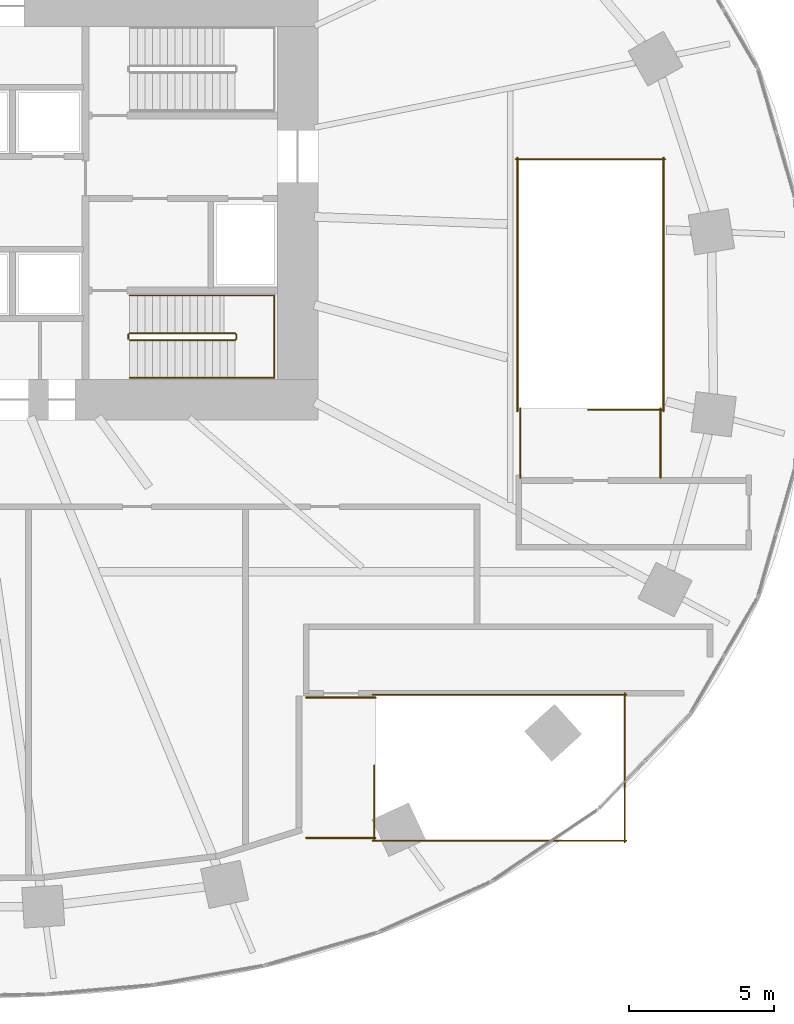
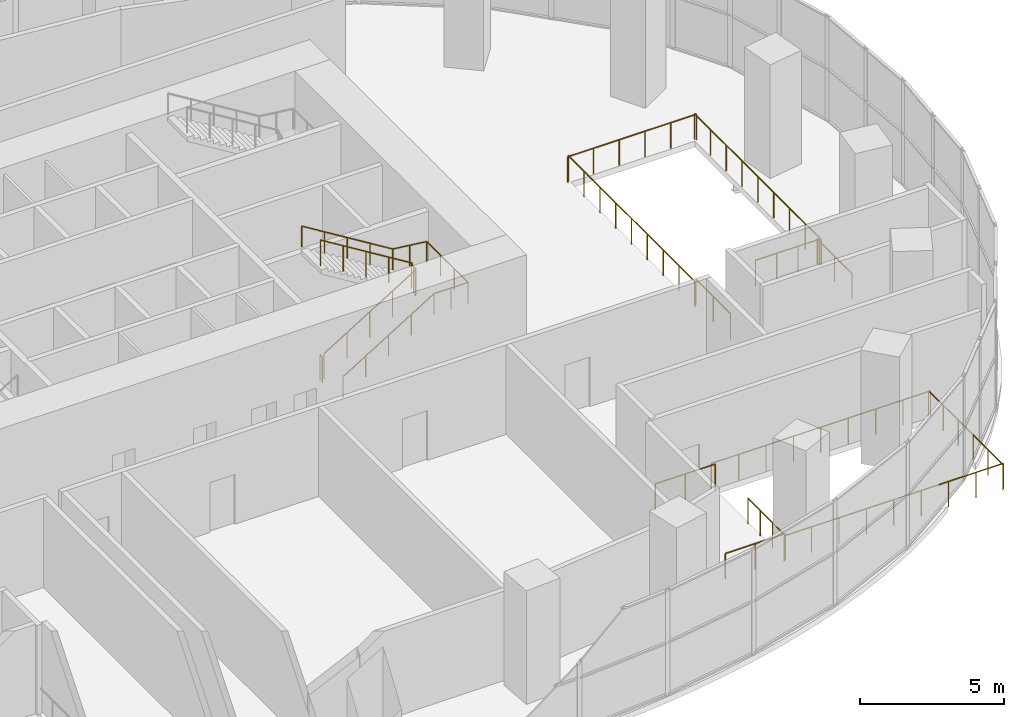
# One storey, part 16 of 17: 15 railings.
"""IFC4 building model written with IfcOpenShell, lengths in metres."""

from ifc_helpers import new_model, si_unit, direction, frame, origin, origin_2d, place, context, subcontext, project, spatial, circle, extrude, material, type_object, element, save


model = new_model("IFC4")

# Units and contexts
model_context = context("Model", 3, precision=1e-05, world=origin(), true_north=direction((0.0, 1.0)))
body_context = subcontext(model_context, "Body", "Model", "MODEL_VIEW")
ifc_project = project(units=[si_unit("LENGTHUNIT", "METRE"), si_unit("AREAUNIT", "SQUARE_METRE"), si_unit("VOLUMEUNIT", "CUBIC_METRE"), si_unit("PLANEANGLEUNIT", "RADIAN"), si_unit("MASSUNIT", "GRAM", prefix="KILO")], contexts=[model_context])

# Site, building, storey
site_placement = place(None, origin())
site = spatial("IfcSite", under=ifc_project, at=site_placement, CompositionType="ELEMENT")
building_placement = place(site_placement, origin())
building = spatial("IfcBuilding", under=site, at=building_placement, Name="Rubra Terraces Tower", CompositionType="ELEMENT")
storey_placement = place(building_placement, frame((0.0, 0.0, 28.199951171875)))
storey = spatial("IfcBuildingStorey", under=building, at=storey_placement, Name="L04", CompositionType="ELEMENT", Elevation=28.199951171875)

# Railings
ifc_material = material(Name="Stainless steel", Category="steel")
railing_type_1 = type_object("IfcRailingType", Name="Core stair guard 1100", PredefinedType="GUARDRAIL", material=ifc_material)
railing_1_placement = place(storey_placement, frame((6.5, -0.25, 0.16015625)))
element("IfcRailing", 1, at=railing_1_placement, inside=storey, type_object=railing_type_1, Name="L04 stair S4 guard 1", PredefinedType="GUARDRAIL", context=body_context, shape_type="SweptSolid", body=[
    extrude(circle(Radius=0.02392578125, at=origin_2d()), frame((0.0, 0.0, 1.076171875), z_axis=(0.851652432698, 0.0, 0.524106987055), x_axis=(0.0, 1.0, 0.0)), (0.0, 0.0, 1.0), 4.27392578125),
    extrude(circle(Radius=0.02392578125, at=origin_2d()), frame((3.639892578125, 0.0, 3.31591796875), z_axis=(0.707106781187, 0.707106781187, 0.0), x_axis=(-0.707106781187, 0.707106781187, 0.0)), (0.0, 0.0, 1.0), 0.07080078125),
    extrude(circle(Radius=0.02392578125, at=origin_2d()), frame((3.68994140625, 0.050048828125, 3.31591796875), z_axis=(0.0, 1.0, 0.0), x_axis=(-1.0, 0.0, 0.0)), (0.0, 0.0, 1.0), 0.14990234375),
    extrude(circle(Radius=0.02392578125, at=origin_2d()), frame((3.68994140625, 0.199951171875, 3.31591796875), z_axis=(-0.286195917343, 0.286195917343, 0.914430857852), x_axis=(-0.707106781187, -0.707106781187, 0.0)), (0.0, 0.0, 1.0), 0.1748046875),
    extrude(circle(Radius=0.02392578125, at=origin_2d()), frame((3.639892578125, 0.25, 3.47607421875), z_axis=(-0.851652432698, 0.0, 0.524106987055), x_axis=(0.0, -1.0, 0.0)), (0.0, 0.0, 1.0), 4.27392578125),
    extrude(circle(Radius=0.02099609375, at=origin_2d()), origin(), (0.0, 0.0, 1.0), 1.052001953125),
    extrude(circle(Radius=0.02099609375, at=origin_2d()), frame((0.909912109375, 0.0, 0.56005859375)), (0.0, 0.0, 1.0), 1.052001953125),
    extrude(circle(Radius=0.02099609375, at=origin_2d()), frame((1.81982421875, 0.0, 1.1201171875)), (0.0, 0.0, 1.0), 1.052001953125),
    extrude(circle(Radius=0.02099609375, at=origin_2d()), frame((2.72998046875, 0.0, 1.679931640625)), (0.0, 0.0, 1.0), 1.052001953125),
    extrude(circle(Radius=0.02099609375, at=origin_2d()), frame((3.639892578125, 0.0, 2.239990234375)), (0.0, 0.0, 1.0), 1.052001953125),
    extrude(circle(Radius=0.02099609375, at=origin_2d()), frame((3.68994140625, 0.050048828125, 2.239990234375)), (0.0, 0.0, 1.0), 1.052001953125),
    extrude(circle(Radius=0.02099609375, at=origin_2d()), frame((3.68994140625, 0.199951171875, 2.239990234375)), (0.0, 0.0, 1.0), 1.052001953125),
    extrude(circle(Radius=0.02099609375, at=origin_2d()), frame((3.639892578125, 0.25, 2.39990234375)), (0.0, 0.0, 1.0), 1.052001953125),
    extrude(circle(Radius=0.02099609375, at=origin_2d()), frame((2.72998046875, 0.25, 2.9599609375)), (0.0, 0.0, 1.0), 1.052001953125),
    extrude(circle(Radius=0.02099609375, at=origin_2d()), frame((1.81982421875, 0.25, 3.52001953125)), (0.0, 0.0, 1.0), 1.052001953125),
    extrude(circle(Radius=0.02099609375, at=origin_2d()), frame((0.909912109375, 0.25, 4.079833984375)), (0.0, 0.0, 1.0), 1.052001953125),
    extrude(circle(Radius=0.02099609375, at=origin_2d()), frame((0.0, 0.25, 4.639892578125)), (0.0, 0.0, 1.0), 1.052001953125),
])
railing_2_placement = place(storey_placement, frame((6.449951171875, -0.199951171875, 0.0)))
element("IfcRailing", 2, at=railing_2_placement, inside=storey, type_object=railing_type_1, Name="L04 stair S4 guard 2", PredefinedType="GUARDRAIL", context=body_context, shape_type="SweptSolid", body=[
    extrude(circle(Radius=0.02392578125, at=origin_2d()), frame((0.0, 0.0, 1.076171875), z_axis=(0.0, 1.0, 0.0), x_axis=(-1.0, 0.0, 0.0)), (0.0, 0.0, 1.0), 0.14990234375),
    extrude(circle(Radius=0.02099609375, at=origin_2d()), origin(), (0.0, 0.0, 1.0), 1.052001953125),
    extrude(circle(Radius=0.02099609375, at=origin_2d()), frame((0.0, 0.14990234375, 0.0)), (0.0, 0.0, 1.0), 1.052001953125),
])
railing_type_2 = type_object("IfcRailingType", Name="Core stair handrail 900", PredefinedType="HANDRAIL", material=ifc_material)
railing_3_placement = place(storey_placement, frame((6.5, -1.550048828125, 0.16015625)))
element("IfcRailing", 3, at=railing_3_placement, inside=storey, type_object=railing_type_2, Name="L04 stair S4 handrail 1", PredefinedType="HANDRAIL", context=body_context, shape_type="SweptSolid", body=[
    extrude(circle(Radius=0.02392578125, at=origin_2d()), frame((0.0, 0.0, 0.8759765625), z_axis=(0.851652432698, 0.0, 0.524106987055), x_axis=(0.0, 1.0, 0.0)), (0.0, 0.0, 1.0), 4.27392578125),
    extrude(circle(Radius=0.02392578125, at=origin_2d()), frame((3.639892578125, 0.0, 3.11572265625), z_axis=(1.0, 0.0, 0.0), x_axis=(0.0, 1.0, 0.0)), (0.0, 0.0, 1.0), 1.360107421875),
    extrude(circle(Radius=0.02392578125, at=origin_2d()), frame((5.0, 0.0, 3.11572265625), z_axis=(0.0, 1.0, 0.0), x_axis=(-1.0, 0.0, 0.0)), (0.0, 0.0, 1.0), 2.85009765625),
    extrude(circle(Radius=0.02392578125, at=origin_2d()), frame((5.0, 2.85009765625, 3.11572265625), z_axis=(-0.993159119849, 0.0, 0.116768842847), x_axis=(0.0, -1.0, 0.0)), (0.0, 0.0, 1.0), 1.369384765625),
    extrude(circle(Radius=0.02392578125, at=origin_2d()), frame((3.639892578125, 2.85009765625, 3.27587890625), z_axis=(-0.851652432698, 0.0, 0.524106987055), x_axis=(0.0, -1.0, 0.0)), (0.0, 0.0, 1.0), 4.27392578125),
    extrude(circle(Radius=0.02099609375, at=origin_2d()), origin(), (0.0, 0.0, 1.0), 0.851806640625),
    extrude(circle(Radius=0.02099609375, at=origin_2d()), frame((0.909912109375, 0.0, 0.56005859375)), (0.0, 0.0, 1.0), 0.851806640625),
    extrude(circle(Radius=0.02099609375, at=origin_2d()), frame((1.81982421875, 0.0, 1.1201171875)), (0.0, 0.0, 1.0), 0.851806640625),
    extrude(circle(Radius=0.02099609375, at=origin_2d()), frame((2.72998046875, 0.0, 1.679931640625)), (0.0, 0.0, 1.0), 0.851806640625),
    extrude(circle(Radius=0.02099609375, at=origin_2d()), frame((3.639892578125, 0.0, 2.239990234375)), (0.0, 0.0, 1.0), 0.851806640625),
    extrude(circle(Radius=0.02099609375, at=origin_2d()), frame((4.31982421875, 0.0, 2.239990234375)), (0.0, 0.0, 1.0), 0.851806640625),
    extrude(circle(Radius=0.02099609375, at=origin_2d()), frame((5.0, 0.0, 2.239990234375)), (0.0, 0.0, 1.0), 0.851806640625),
    extrude(circle(Radius=0.02099609375, at=origin_2d()), frame((5.0, 0.949951171875, 2.239990234375)), (0.0, 0.0, 1.0), 0.851806640625),
    extrude(circle(Radius=0.02099609375, at=origin_2d()), frame((5.0, 1.900146484375, 2.239990234375)), (0.0, 0.0, 1.0), 0.851806640625),
    extrude(circle(Radius=0.02099609375, at=origin_2d()), frame((5.0, 2.85009765625, 2.239990234375)), (0.0, 0.0, 1.0), 0.851806640625),
    extrude(circle(Radius=0.02099609375, at=origin_2d()), frame((4.31982421875, 2.85009765625, 2.31982421875)), (0.0, 0.0, 1.0), 0.851806640625),
    extrude(circle(Radius=0.02099609375, at=origin_2d()), frame((3.639892578125, 2.85009765625, 2.39990234375)), (0.0, 0.0, 1.0), 0.851806640625),
    extrude(circle(Radius=0.02099609375, at=origin_2d()), frame((2.72998046875, 2.85009765625, 2.9599609375)), (0.0, 0.0, 1.0), 0.851806640625),
    extrude(circle(Radius=0.02099609375, at=origin_2d()), frame((1.81982421875, 2.85009765625, 3.52001953125)), (0.0, 0.0, 1.0), 0.851806640625),
    extrude(circle(Radius=0.02099609375, at=origin_2d()), frame((0.909912109375, 2.85009765625, 4.079833984375)), (0.0, 0.0, 1.0), 0.851806640625),
    extrude(circle(Radius=0.02099609375, at=origin_2d()), frame((0.0, 2.85009765625, 4.639892578125)), (0.0, 0.0, 1.0), 0.851806640625),
])
railing_type_3 = type_object("IfcRailingType", Name="Public stair guard 1100", PredefinedType="GUARDRAIL", material=ifc_material)
railing_4_placement = place(storey_placement, frame((24.89990234375, -2.64990234375, 0.0)))
element("IfcRailing", 4, at=railing_4_placement, inside=storey, type_object=railing_type_3, Name="L04 PS2 top well guard 1", PredefinedType="GUARDRAIL", context=body_context, shape_type="SweptSolid", body=[
    extrude(circle(Radius=0.02392578125, at=origin_2d()), frame((0.0, 0.0, 1.076171875), z_axis=(-1.0, 0.0, 0.0), x_axis=(0.0, -1.0, 0.0)), (0.0, 0.0, 1.0), 2.5498046875),
    extrude(circle(Radius=0.02099609375, at=origin_2d()), origin(), (0.0, 0.0, 1.0), 1.052001953125),
    extrude(circle(Radius=0.02099609375, at=origin_2d()), frame((-0.849853515625, 0.0, 0.0)), (0.0, 0.0, 1.0), 1.052001953125),
    extrude(circle(Radius=0.02099609375, at=origin_2d()), frame((-1.699951171875, 0.0, 0.0)), (0.0, 0.0, 1.0), 1.052001953125),
    extrude(circle(Radius=0.02099609375, at=origin_2d()), frame((-2.5498046875, 0.0, 0.0)), (0.0, 0.0, 1.0), 1.052001953125),
])
for number, where, name in (
    (5, (24.949951171875, -2.699951171875, 0.0), "L04 PS2 top well guard 2"),
    (6, (19.89990234375, -2.699951171875, 0.0), "L04 PS2 top well guard 3"),
):
    element("IfcRailing", number, at=place(storey_placement, frame(where)), inside=storey, type_object=railing_type_3, Name=name, PredefinedType="GUARDRAIL", context=body_context, shape_type="SweptSolid", body=[
        extrude(circle(Radius=0.02392578125, at=origin_2d()), frame((0.0, 0.0, 1.076171875), z_axis=(0.0, 1.0, 0.0), x_axis=(-1.0, 0.0, 0.0)), (0.0, 0.0, 1.0), 8.760009765625),
        extrude(circle(Radius=0.02099609375, at=origin_2d()), origin(), (0.0, 0.0, 1.0), 1.052001953125),
        extrude(circle(Radius=0.02099609375, at=origin_2d()), frame((0.0, 1.094970703125, 0.0)), (0.0, 0.0, 1.0), 1.052001953125),
        extrude(circle(Radius=0.02099609375, at=origin_2d()), frame((0.0, 2.18994140625, 0.0)), (0.0, 0.0, 1.0), 1.052001953125),
        extrude(circle(Radius=0.02099609375, at=origin_2d()), frame((0.0, 3.284912109375, 0.0)), (0.0, 0.0, 1.0), 1.052001953125),
        extrude(circle(Radius=0.02099609375, at=origin_2d()), frame((0.0, 4.3798828125, 0.0)), (0.0, 0.0, 1.0), 1.052001953125),
        extrude(circle(Radius=0.02099609375, at=origin_2d()), frame((0.0, 5.47509765625, 0.0)), (0.0, 0.0, 1.0), 1.052001953125),
        extrude(circle(Radius=0.02099609375, at=origin_2d()), frame((0.0, 6.570068359375, 0.0)), (0.0, 0.0, 1.0), 1.052001953125),
        extrude(circle(Radius=0.02099609375, at=origin_2d()), frame((0.0, 7.6650390625, 0.0)), (0.0, 0.0, 1.0), 1.052001953125),
        extrude(circle(Radius=0.02099609375, at=origin_2d()), frame((0.0, 8.760009765625, 0.0)), (0.0, 0.0, 1.0), 1.052001953125),
    ])
railing_5_placement = place(storey_placement, frame((25.0, 6.010009765625, 0.0)))
element("IfcRailing", 7, at=railing_5_placement, inside=storey, type_object=railing_type_3, Name="L04 PS2 top well guard 4", PredefinedType="GUARDRAIL", context=body_context, shape_type="SweptSolid", body=[
    extrude(circle(Radius=0.02392578125, at=origin_2d()), frame((0.0, 0.0, 1.076171875), z_axis=(-1.0, 0.0, 0.0), x_axis=(0.0, -1.0, 0.0)), (0.0, 0.0, 1.0), 5.14990234375),
    extrude(circle(Radius=0.02099609375, at=origin_2d()), origin(), (0.0, 0.0, 1.0), 1.052001953125),
    extrude(circle(Radius=0.02099609375, at=origin_2d()), frame((-1.030029296875, 0.0, 0.0)), (0.0, 0.0, 1.0), 1.052001953125),
    extrude(circle(Radius=0.02099609375, at=origin_2d()), frame((-2.06005859375, 0.0, 0.0)), (0.0, 0.0, 1.0), 1.052001953125),
    extrude(circle(Radius=0.02099609375, at=origin_2d()), frame((-3.08984375, 0.0, 0.0)), (0.0, 0.0, 1.0), 1.052001953125),
    extrude(circle(Radius=0.02099609375, at=origin_2d()), frame((-4.119873046875, 0.0, 0.0)), (0.0, 0.0, 1.0), 1.052001953125),
    extrude(circle(Radius=0.02099609375, at=origin_2d()), frame((-5.14990234375, 0.0, 0.0)), (0.0, 0.0, 1.0), 1.052001953125),
])
for number, where, name in (
    (8, (24.85009765625, -5.0, 0.0), "L04 PS2 top well guard 5"),
    (9, (20.0, -5.0, 0.0), "L04 PS2 top well guard 6"),
):
    element("IfcRailing", number, at=place(storey_placement, frame(where)), inside=storey, type_object=railing_type_3, Name=name, PredefinedType="GUARDRAIL", context=body_context, shape_type="SweptSolid", body=[
        extrude(circle(Radius=0.02392578125, at=origin_2d()), frame((0.0, 0.0, 1.076171875), z_axis=(0.0, 1.0, 0.0), x_axis=(-1.0, 0.0, 0.0)), (0.0, 0.0, 1.0), 2.39990234375),
        extrude(circle(Radius=0.02099609375, at=origin_2d()), origin(), (0.0, 0.0, 1.0), 1.052001953125),
        extrude(circle(Radius=0.02099609375, at=origin_2d()), frame((0.0, 1.199951171875, 0.0)), (0.0, 0.0, 1.0), 1.052001953125),
        extrude(circle(Radius=0.02099609375, at=origin_2d()), frame((0.0, 2.39990234375, 0.0)), (0.0, 0.0, 1.0), 1.052001953125),
    ])
railing_6_placement = place(storey_placement, frame((14.949951171875, -17.5, 0.0)))
element("IfcRailing", 10, at=railing_6_placement, inside=storey, type_object=railing_type_3, Name="L04 PS4 top well guard 1", PredefinedType="GUARDRAIL", context=body_context, shape_type="SweptSolid", body=[
    extrude(circle(Radius=0.02392578125, at=origin_2d()), frame((0.0, 0.0, 1.076171875), z_axis=(0.0, 1.0, 0.0), x_axis=(-1.0, 0.0, 0.0)), (0.0, 0.0, 1.0), 2.550048828125),
    extrude(circle(Radius=0.02099609375, at=origin_2d()), origin(), (0.0, 0.0, 1.0), 1.052001953125),
    extrude(circle(Radius=0.02099609375, at=origin_2d()), frame((0.0, 0.85009765625, 0.0)), (0.0, 0.0, 1.0), 1.052001953125),
    extrude(circle(Radius=0.02099609375, at=origin_2d()), frame((0.0, 1.699951171875, 0.0)), (0.0, 0.0, 1.0), 1.052001953125),
    extrude(circle(Radius=0.02099609375, at=origin_2d()), frame((0.0, 2.550048828125, 0.0)), (0.0, 0.0, 1.0), 1.052001953125),
])
for number, where, name in (
    (11, (14.89990234375, -17.550048828125, 0.0), "L04 PS4 top well guard 2"),
    (12, (14.89990234375, -12.5, 0.0), "L04 PS4 top well guard 3"),
):
    element("IfcRailing", number, at=place(storey_placement, frame(where)), inside=storey, type_object=railing_type_3, Name=name, PredefinedType="GUARDRAIL", context=body_context, shape_type="SweptSolid", body=[
        extrude(circle(Radius=0.02392578125, at=origin_2d()), frame((0.0, 0.0, 1.076171875), z_axis=(1.0, 0.0, 0.0), x_axis=(0.0, 1.0, 0.0)), (0.0, 0.0, 1.0), 8.760009765625),
        extrude(circle(Radius=0.02099609375, at=origin_2d()), origin(), (0.0, 0.0, 1.0), 1.052001953125),
        extrude(circle(Radius=0.02099609375, at=origin_2d()), frame((1.094970703125, 0.0, 0.0)), (0.0, 0.0, 1.0), 1.052001953125),
        extrude(circle(Radius=0.02099609375, at=origin_2d()), frame((2.18994140625, 0.0, 0.0)), (0.0, 0.0, 1.0), 1.052001953125),
        extrude(circle(Radius=0.02099609375, at=origin_2d()), frame((3.284912109375, 0.0, 0.0)), (0.0, 0.0, 1.0), 1.052001953125),
        extrude(circle(Radius=0.02099609375, at=origin_2d()), frame((4.3798828125, 0.0, 0.0)), (0.0, 0.0, 1.0), 1.052001953125),
        extrude(circle(Radius=0.02099609375, at=origin_2d()), frame((5.47509765625, 0.0, 0.0)), (0.0, 0.0, 1.0), 1.052001953125),
        extrude(circle(Radius=0.02099609375, at=origin_2d()), frame((6.570068359375, 0.0, 0.0)), (0.0, 0.0, 1.0), 1.052001953125),
        extrude(circle(Radius=0.02099609375, at=origin_2d()), frame((7.6650390625, 0.0, 0.0)), (0.0, 0.0, 1.0), 1.052001953125),
        extrude(circle(Radius=0.02099609375, at=origin_2d()), frame((8.760009765625, 0.0, 0.0)), (0.0, 0.0, 1.0), 1.052001953125),
    ])
railing_7_placement = place(storey_placement, frame((23.610107421875, -17.60009765625, 0.0)))
element("IfcRailing", 13, at=railing_7_placement, inside=storey, type_object=railing_type_3, Name="L04 PS4 top well guard 4", PredefinedType="GUARDRAIL", context=body_context, shape_type="SweptSolid", body=[
    extrude(circle(Radius=0.02392578125, at=origin_2d()), frame((0.0, 0.0, 1.076171875), z_axis=(0.0, 1.0, 0.0), x_axis=(-1.0, 0.0, 0.0)), (0.0, 0.0, 1.0), 5.150146484375),
    extrude(circle(Radius=0.02099609375, at=origin_2d()), origin(), (0.0, 0.0, 1.0), 1.052001953125),
    extrude(circle(Radius=0.02099609375, at=origin_2d()), frame((0.0, 1.030029296875, 0.0)), (0.0, 0.0, 1.0), 1.052001953125),
    extrude(circle(Radius=0.02099609375, at=origin_2d()), frame((0.0, 2.06005859375, 0.0)), (0.0, 0.0, 1.0), 1.052001953125),
    extrude(circle(Radius=0.02099609375, at=origin_2d()), frame((0.0, 3.090087890625, 0.0)), (0.0, 0.0, 1.0), 1.052001953125),
    extrude(circle(Radius=0.02099609375, at=origin_2d()), frame((0.0, 4.1201171875, 0.0)), (0.0, 0.0, 1.0), 1.052001953125),
    extrude(circle(Radius=0.02099609375, at=origin_2d()), frame((0.0, 5.150146484375, 0.0)), (0.0, 0.0, 1.0), 1.052001953125),
])
for number, where, name in (
    (14, (12.60009765625, -17.449951171875, 0.0), "L04 PS4 top well guard 5"),
    (15, (12.60009765625, -12.60009765625, 0.0), "L04 PS4 top well guard 6"),
):
    element("IfcRailing", number, at=place(storey_placement, frame(where)), inside=storey, type_object=railing_type_3, Name=name, PredefinedType="GUARDRAIL", context=body_context, shape_type="SweptSolid", body=[
        extrude(circle(Radius=0.02392578125, at=origin_2d()), frame((0.0, 0.0, 1.076171875), z_axis=(1.0, 0.0, 0.0), x_axis=(0.0, 1.0, 0.0)), (0.0, 0.0, 1.0), 2.39990234375),
        extrude(circle(Radius=0.02099609375, at=origin_2d()), origin(), (0.0, 0.0, 1.0), 1.052001953125),
        extrude(circle(Radius=0.02099609375, at=origin_2d()), frame((1.199951171875, 0.0, 0.0)), (0.0, 0.0, 1.0), 1.052001953125),
        extrude(circle(Radius=0.02099609375, at=origin_2d()), frame((2.39990234375, 0.0, 0.0)), (0.0, 0.0, 1.0), 1.052001953125),
    ])

save(model, "model.ifc")
